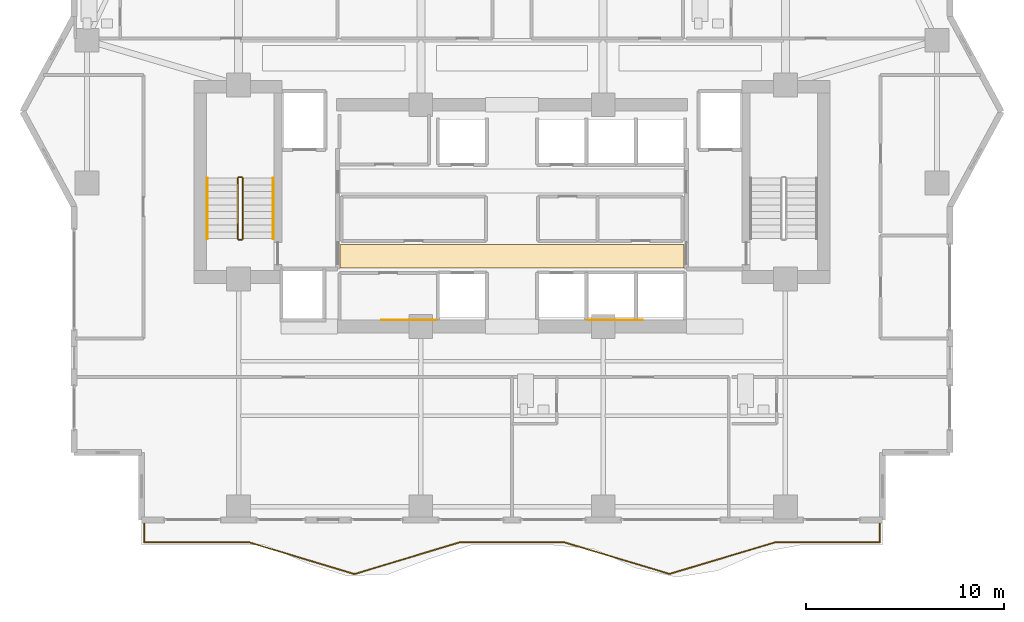
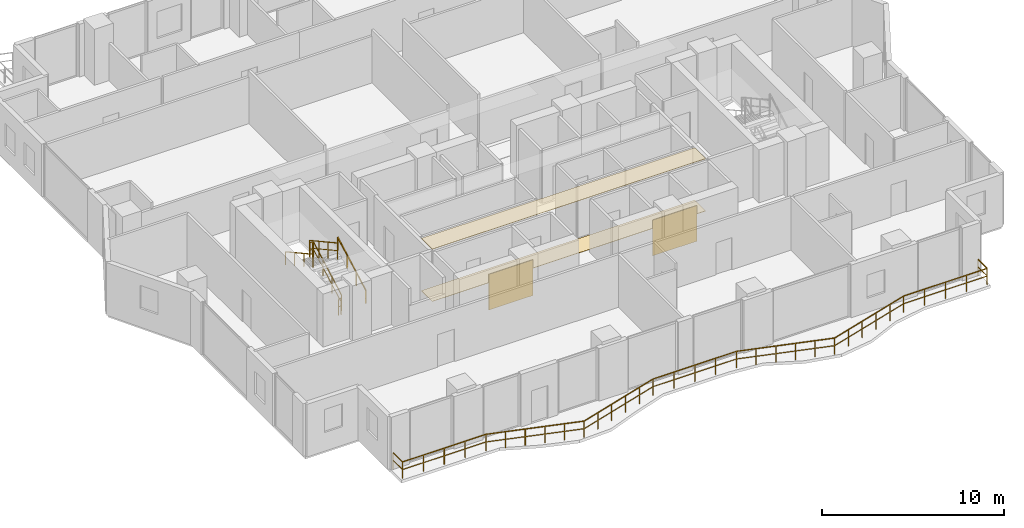
# One storey, part 30 of 33: 7 railings, 4 coverings.
"""IFC4 building model written with IfcOpenShell, lengths in metres."""

from ifc_helpers import new_model, si_unit, direction, frame, origin, origin_2d, place, context, subcontext, project, spatial, polyline, rectangle, outline, extrude, material, layer, layer_set, type_object, element, save


model = new_model("IFC4")

# Units and contexts
model_context = context("Model", 3, precision=1e-05, world=origin(), true_north=direction((0.0, 1.0)))
body_context = subcontext(model_context, "Body", "Model", "MODEL_VIEW")
ifc_project = project(units=[si_unit("LENGTHUNIT", "METRE"), si_unit("AREAUNIT", "SQUARE_METRE"), si_unit("VOLUMEUNIT", "CUBIC_METRE"), si_unit("PLANEANGLEUNIT", "RADIAN"), si_unit("MASSUNIT", "GRAM", prefix="KILO")], contexts=[model_context])

# Site, building, storey
site_placement = place(None, origin())
site = spatial("IfcSite", under=ifc_project, at=site_placement, CompositionType="ELEMENT")
building_placement = place(site_placement, origin())
building = spatial("IfcBuilding", under=site, at=building_placement, Name="Zuhayl Quay Hotel", CompositionType="ELEMENT")
storey_placement = place(building_placement, frame((0.0, 0.0, 214.89990234375)))
storey = spatial("IfcBuildingStorey", under=building, at=storey_placement, Name="L54", CompositionType="ELEMENT", Elevation=214.89990234375)

# Coverings
ifc_material_1 = material(Name="Acoustic Mineral-Fibre Gypsum Board")
ifc_layer_1 = layer(ifc_material_1, 0.02490234375, Name="Acoustic Mineral-Fibre Gypsum Board")
ifc_layer_set_1 = layer_set([ifc_layer_1], Name="Acoustic Mineral-Fibre Gypsum Board")
covering_type_1 = type_object("IfcCoveringType", Name="CV_CEIL_ACOUSTIC", PredefinedType="CEILING", material=ifc_layer_set_1)
covering_1_placement = place(storey_placement, frame((0.0, 0.0, 3.505126953125)))
element("IfcCovering", 1, at=covering_1_placement, inside=storey, type_object=covering_type_1, Name="L54 Suspended Acoustic Lobby Ceiling S", PredefinedType="CEILING", context=body_context, shape_type="SweptSolid", body=[
    extrude(outline(polyline([(-8.679931640625, 5.10009765625), (8.679931640625, 5.10009765625), (8.679931640625, 6.300048828125), (-8.679931640625, 6.300048828125), (-8.679931640625, 5.10009765625)])), origin(), (0.0, 0.0, 1.0), 0.02490234375),
])
ifc_material_2 = material(Name="Polished Limestone Terrazzo", Category="masonry")
ifc_layer_2 = layer(ifc_material_2, 0.02001953125, Name="Polished Limestone Terrazzo", Category="masonry")
ifc_layer_set_2 = layer_set([ifc_layer_2], Name="Polished Limestone Terrazzo")
covering_type_2 = type_object("IfcCoveringType", Name="CV_FLOOR_TERRAZZO", PredefinedType="FLOORING", material=ifc_layer_set_2)
covering_2_placement = place(storey_placement, origin())
element("IfcCovering", 2, at=covering_2_placement, inside=storey, type_object=covering_type_2, Name="L54 Honed Limestone Terrazzo Lobby Flooring S", PredefinedType="FLOORING", context=body_context, shape_type="SweptSolid", body=[
    extrude(outline(polyline([(-8.679931640625, 5.10009765625), (8.679931640625, 5.10009765625), (8.679931640625, 6.300048828125), (-8.679931640625, 6.300048828125), (-8.679931640625, 5.10009765625)])), origin(), (0.0, 0.0, 1.0), 0.02001953125),
])
ifc_material_3 = material(Name="Acoustic Walnut Feature Timber", Category="wood")
ifc_layer_3 = layer(ifc_material_3, 0.02197265625, Name="Acoustic Walnut Feature Timber", Category="wood")
ifc_layer_set_3 = layer_set([ifc_layer_3], Name="Acoustic Walnut Feature Timber")
covering_type_3 = type_object("IfcCoveringType", Name="CV_WALL_CLAD", PredefinedType="CLADDING", material=ifc_layer_set_3)
for number, where, z_axis, x_axis, name in (
    (3, (-5.199951171875, 2.486083984375, 0.300048828125), (0.0, 0.0, 1.0), (1.0, 0.0, 0.0), "L54 Feature Lobby Walnut Wall Cladding W"),
    (4, (5.199951171875, 2.486083984375, 0.300048828125), (0.0, 0.0, 1.0), (1.0, 0.0, 0.0), "L54 Feature Lobby Walnut Wall Cladding E"),
):
    element("IfcCovering", number, at=place(storey_placement, frame(where, z_axis=z_axis, x_axis=x_axis)), inside=storey, type_object=covering_type_3, Name=name, PredefinedType="CLADDING", context=body_context, shape_type="SweptSolid", body=[
        extrude(rectangle(XDim=2.800048828125, YDim=0.02197265625, at=origin_2d()), origin(), (0.0, 0.0, 1.0), 2.39990234375),
    ])

# Railings
ifc_material_4 = material(Name="Anodised Aluminium and Laminated Glass", Category="aluminium")
railing_type_1 = type_object("IfcRailingType", Name="RL_EXT_BAL_1100", PredefinedType="BALUSTRADE", material=ifc_material_4)
railing_1_placement = place(storey_placement, frame((-18.56005859375, -7.719970703125, 0.0)))
element("IfcRailing", 5, at=railing_1_placement, inside=storey, type_object=railing_type_1, Name="L54 Balcony and Terrace Guard GR_L54_BAL_S", PredefinedType="BALUSTRADE", context=body_context, shape_type="SweptSolid", body=[
    extrude(rectangle(XDim=0.048095703125, YDim=0.048095703125, at=origin_2d()), frame((0.0, 0.0, 1.09619140625), z_axis=(0.0, -1.0, 0.0), x_axis=(1.0, 0.0, 0.0)), (0.0, 0.0, 1.0), 1.02001953125),
    extrude(rectangle(XDim=0.0361328125, YDim=0.0361328125, at=origin_2d()), frame((0.0, 0.0, 0.58251953125), z_axis=(0.0, -1.0, 0.0), x_axis=(1.0, 0.0, 0.0)), (0.0, 0.0, 1.0), 1.02001953125),
    extrude(rectangle(XDim=0.048095703125, YDim=0.048095703125, at=origin_2d()), frame((0.0, -1.02001953125, 1.09619140625), z_axis=(1.0, 0.0, 0.0), x_axis=(0.0, 1.0, 0.0)), (0.0, 0.0, 1.0), 5.302978515625),
    extrude(rectangle(XDim=0.0361328125, YDim=0.0361328125, at=origin_2d()), frame((0.0, -1.02001953125, 0.58251953125), z_axis=(1.0, 0.0, 0.0), x_axis=(0.0, 1.0, 0.0)), (0.0, 0.0, 1.0), 5.302978515625),
    extrude(rectangle(XDim=0.048095703125, YDim=0.048095703125, at=origin_2d()), frame((5.302978515625, -1.02001953125, 1.09619140625), z_axis=(0.957364058191, -0.288884163784, 0.0), x_axis=(0.288884163784, 0.957364058191, 0.0)), (0.0, 0.0, 1.0), 5.538818359375),
    extrude(rectangle(XDim=0.0361328125, YDim=0.0361328125, at=origin_2d()), frame((5.302978515625, -1.02001953125, 0.58251953125), z_axis=(0.957364058191, -0.288884163784, 0.0), x_axis=(0.288884163784, 0.957364058191, 0.0)), (0.0, 0.0, 1.0), 5.538818359375),
    extrude(rectangle(XDim=0.048095703125, YDim=0.048095703125, at=origin_2d()), frame((10.605712890625, -2.6201171875, 1.09619140625), z_axis=(0.957367736407, 0.288871973869, 0.0), x_axis=(-0.288871973869, 0.957367736407, 0.0)), (0.0, 0.0, 1.0), 5.5390625),
    extrude(rectangle(XDim=0.0361328125, YDim=0.0361328125, at=origin_2d()), frame((10.605712890625, -2.6201171875, 0.58251953125), z_axis=(0.957367736407, 0.288871973869, 0.0), x_axis=(-0.288871973869, 0.957367736407, 0.0)), (0.0, 0.0, 1.0), 5.5390625),
    extrude(rectangle(XDim=0.048095703125, YDim=0.048095703125, at=origin_2d()), frame((15.90869140625, -1.02001953125, 1.09619140625), z_axis=(1.0, 0.0, 0.0), x_axis=(0.0, 1.0, 0.0)), (0.0, 0.0, 1.0), 5.302734375),
    extrude(rectangle(XDim=0.0361328125, YDim=0.0361328125, at=origin_2d()), frame((15.90869140625, -1.02001953125, 0.58251953125), z_axis=(1.0, 0.0, 0.0), x_axis=(0.0, 1.0, 0.0)), (0.0, 0.0, 1.0), 5.302734375),
    extrude(rectangle(XDim=0.048095703125, YDim=0.048095703125, at=origin_2d()), frame((21.21142578125, -1.02001953125, 1.09619140625), z_axis=(0.957805650756, -0.287416658148, 0.0), x_axis=(0.287416658148, 0.957805650756, 0.0)), (0.0, 0.0, 1.0), 5.53662109375),
    extrude(rectangle(XDim=0.0361328125, YDim=0.0361328125, at=origin_2d()), frame((21.21142578125, -1.02001953125, 0.58251953125), z_axis=(0.957805650756, -0.287416658148, 0.0), x_axis=(0.287416658148, 0.957805650756, 0.0)), (0.0, 0.0, 1.0), 5.53662109375),
    extrude(rectangle(XDim=0.048095703125, YDim=0.048095703125, at=origin_2d()), frame((26.514404296875, -2.611328125, 1.09619140625), z_axis=(0.957996069855, 0.286781328094, 0.0), x_axis=(-0.286781328094, 0.957996069855, 0.0)), (0.0, 0.0, 1.0), 5.53515625),
    extrude(rectangle(XDim=0.0361328125, YDim=0.0361328125, at=origin_2d()), frame((26.514404296875, -2.611328125, 0.58251953125), z_axis=(0.957996069855, 0.286781328094, 0.0), x_axis=(-0.286781328094, 0.957996069855, 0.0)), (0.0, 0.0, 1.0), 5.53515625),
    extrude(rectangle(XDim=0.048095703125, YDim=0.048095703125, at=origin_2d()), frame((31.817138671875, -1.02392578125, 1.09619140625), z_axis=(0.9999997287, 0.000736614137, 0.0), x_axis=(-0.000736614137, 0.9999997287, 0.0)), (0.0, 0.0, 1.0), 5.302978515625),
    extrude(rectangle(XDim=0.0361328125, YDim=0.0361328125, at=origin_2d()), frame((31.817138671875, -1.02392578125, 0.58251953125), z_axis=(0.9999997287, 0.000736614137, 0.0), x_axis=(-0.000736614137, 0.9999997287, 0.0)), (0.0, 0.0, 1.0), 5.302978515625),
    extrude(rectangle(XDim=0.048095703125, YDim=0.048095703125, at=origin_2d()), frame((37.1201171875, -1.02001953125, 1.09619140625), z_axis=(0.0, 1.0, 0.0), x_axis=(-1.0, 0.0, 0.0)), (0.0, 0.0, 1.0), 1.02001953125),
    extrude(rectangle(XDim=0.0361328125, YDim=0.0361328125, at=origin_2d()), frame((37.1201171875, -1.02001953125, 0.58251953125), z_axis=(0.0, 1.0, 0.0), x_axis=(-1.0, 0.0, 0.0)), (0.0, 0.0, 1.0), 1.02001953125),
    extrude(rectangle(XDim=0.0419921875, YDim=0.0419921875, at=origin_2d()), origin(), (0.0, 0.0, 1.0), 1.072021484375),
    extrude(rectangle(XDim=0.0419921875, YDim=0.0419921875, at=origin_2d()), frame((0.0, -1.02001953125, 0.0)), (0.0, 0.0, 1.0), 1.072021484375),
    extrude(rectangle(XDim=0.0419921875, YDim=0.0419921875, at=origin_2d()), frame((1.32568359375, -1.02001953125, 0.0)), (0.0, 0.0, 1.0), 1.072021484375),
    extrude(rectangle(XDim=0.0419921875, YDim=0.0419921875, at=origin_2d()), frame((2.6513671875, -1.02001953125, 0.0)), (0.0, 0.0, 1.0), 1.072021484375),
    extrude(rectangle(XDim=0.0419921875, YDim=0.0419921875, at=origin_2d()), frame((3.977294921875, -1.02001953125, 0.0)), (0.0, 0.0, 1.0), 1.072021484375),
    extrude(rectangle(XDim=0.0419921875, YDim=0.0419921875, at=origin_2d()), frame((5.302978515625, -1.02001953125, 0.0)), (0.0, 0.0, 1.0), 1.072021484375),
    extrude(rectangle(XDim=0.0419921875, YDim=0.0419921875, at=origin_2d()), frame((6.363525390625, -1.340087890625, 0.0)), (0.0, 0.0, 1.0), 1.072021484375),
    extrude(rectangle(XDim=0.0419921875, YDim=0.0419921875, at=origin_2d()), frame((7.424072265625, -1.66015625, 0.0)), (0.0, 0.0, 1.0), 1.072021484375),
    extrude(rectangle(XDim=0.0419921875, YDim=0.0419921875, at=origin_2d()), frame((8.484619140625, -1.97998046875, 0.0)), (0.0, 0.0, 1.0), 1.072021484375),
    extrude(rectangle(XDim=0.0419921875, YDim=0.0419921875, at=origin_2d()), frame((9.545166015625, -2.300048828125, 0.0)), (0.0, 0.0, 1.0), 1.072021484375),
    extrude(rectangle(XDim=0.0419921875, YDim=0.0419921875, at=origin_2d()), frame((10.605712890625, -2.6201171875, 0.0)), (0.0, 0.0, 1.0), 1.072021484375),
    extrude(rectangle(XDim=0.0419921875, YDim=0.0419921875, at=origin_2d()), frame((11.666259765625, -2.300048828125, 0.0)), (0.0, 0.0, 1.0), 1.072021484375),
    extrude(rectangle(XDim=0.0419921875, YDim=0.0419921875, at=origin_2d()), frame((12.726806640625, -1.97998046875, 0.0)), (0.0, 0.0, 1.0), 1.072021484375),
    extrude(rectangle(XDim=0.0419921875, YDim=0.0419921875, at=origin_2d()), frame((13.78759765625, -1.66015625, 0.0)), (0.0, 0.0, 1.0), 1.072021484375),
    extrude(rectangle(XDim=0.0419921875, YDim=0.0419921875, at=origin_2d()), frame((14.84814453125, -1.340087890625, 0.0)), (0.0, 0.0, 1.0), 1.072021484375),
    extrude(rectangle(XDim=0.0419921875, YDim=0.0419921875, at=origin_2d()), frame((15.90869140625, -1.02001953125, 0.0)), (0.0, 0.0, 1.0), 1.072021484375),
    extrude(rectangle(XDim=0.0419921875, YDim=0.0419921875, at=origin_2d()), frame((17.234375, -1.02001953125, 0.0)), (0.0, 0.0, 1.0), 1.072021484375),
    extrude(rectangle(XDim=0.0419921875, YDim=0.0419921875, at=origin_2d()), frame((18.56005859375, -1.02001953125, 0.0)), (0.0, 0.0, 1.0), 1.072021484375),
    extrude(rectangle(XDim=0.0419921875, YDim=0.0419921875, at=origin_2d()), frame((19.8857421875, -1.02001953125, 0.0)), (0.0, 0.0, 1.0), 1.072021484375),
    extrude(rectangle(XDim=0.0419921875, YDim=0.0419921875, at=origin_2d()), frame((21.21142578125, -1.02001953125, 0.0)), (0.0, 0.0, 1.0), 1.072021484375),
    extrude(rectangle(XDim=0.0419921875, YDim=0.0419921875, at=origin_2d()), frame((22.27197265625, -1.33837890625, 0.0)), (0.0, 0.0, 1.0), 1.072021484375),
    extrude(rectangle(XDim=0.0419921875, YDim=0.0419921875, at=origin_2d()), frame((23.33251953125, -1.656494140625, 0.0)), (0.0, 0.0, 1.0), 1.072021484375),
    extrude(rectangle(XDim=0.0419921875, YDim=0.0419921875, at=origin_2d()), frame((24.393310546875, -1.974853515625, 0.0)), (0.0, 0.0, 1.0), 1.072021484375),
    extrude(rectangle(XDim=0.0419921875, YDim=0.0419921875, at=origin_2d()), frame((25.453857421875, -2.29296875, 0.0)), (0.0, 0.0, 1.0), 1.072021484375),
    extrude(rectangle(XDim=0.0419921875, YDim=0.0419921875, at=origin_2d()), frame((26.514404296875, -2.611328125, 0.0)), (0.0, 0.0, 1.0), 1.072021484375),
    extrude(rectangle(XDim=0.0419921875, YDim=0.0419921875, at=origin_2d()), frame((27.574951171875, -2.2939453125, 0.0)), (0.0, 0.0, 1.0), 1.072021484375),
    extrude(rectangle(XDim=0.0419921875, YDim=0.0419921875, at=origin_2d()), frame((28.635498046875, -1.976318359375, 0.0)), (0.0, 0.0, 1.0), 1.072021484375),
    extrude(rectangle(XDim=0.0419921875, YDim=0.0419921875, at=origin_2d()), frame((29.696044921875, -1.658935546875, 0.0)), (0.0, 0.0, 1.0), 1.072021484375),
    extrude(rectangle(XDim=0.0419921875, YDim=0.0419921875, at=origin_2d()), frame((30.756591796875, -1.34130859375, 0.0)), (0.0, 0.0, 1.0), 1.072021484375),
    extrude(rectangle(XDim=0.0419921875, YDim=0.0419921875, at=origin_2d()), frame((31.817138671875, -1.02392578125, 0.0)), (0.0, 0.0, 1.0), 1.072021484375),
    extrude(rectangle(XDim=0.0419921875, YDim=0.0419921875, at=origin_2d()), frame((33.142822265625, -1.02294921875, 0.0)), (0.0, 0.0, 1.0), 1.072021484375),
    extrude(rectangle(XDim=0.0419921875, YDim=0.0419921875, at=origin_2d()), frame((34.46875, -1.02197265625, 0.0)), (0.0, 0.0, 1.0), 1.072021484375),
    extrude(rectangle(XDim=0.0419921875, YDim=0.0419921875, at=origin_2d()), frame((35.79443359375, -1.02099609375, 0.0)), (0.0, 0.0, 1.0), 1.072021484375),
    extrude(rectangle(XDim=0.0419921875, YDim=0.0419921875, at=origin_2d()), frame((37.1201171875, -1.02001953125, 0.0)), (0.0, 0.0, 1.0), 1.072021484375),
    extrude(rectangle(XDim=0.0419921875, YDim=0.0419921875, at=origin_2d()), frame((37.1201171875, 0.0, 0.0)), (0.0, 0.0, 1.0), 1.072021484375),
])
ifc_material_5 = material(Name="Steel ASTM A992 Grade 50", Category="steel")
railing_type_2 = type_object("IfcRailingType", Name="RL_GUARD_1100", PredefinedType="GUARDRAIL", material=ifc_material_5)
railing_2_placement = place(storey_placement, frame((-13.590087890625, 6.590087890625, 0.1875)))
element("IfcRailing", 6, at=railing_2_placement, inside=storey, type_object=railing_type_2, Name="L54 ST1 stair guard 1", PredefinedType="GUARDRAIL", context=body_context, shape_type="SweptSolid", body=[
    extrude(rectangle(XDim=0.048095703125, YDim=0.048095703125, at=origin_2d()), frame((0.0, 0.0, 1.09619140625), z_axis=(0.0, 0.875659195171, 0.482929574485), x_axis=(-1.0, 0.0, 0.0)), (0.0, 0.0, 1.0), 3.494384765625),
    extrude(rectangle(XDim=0.0361328125, YDim=0.0361328125, at=origin_2d()), frame((0.0, 0.0, 0.58251953125), z_axis=(0.0, 0.875659195171, 0.482929574485), x_axis=(-1.0, 0.0, 0.0)), (0.0, 0.0, 1.0), 3.494384765625),
    extrude(rectangle(XDim=0.0419921875, YDim=0.0419921875, at=origin_2d()), origin(), (0.0, 0.0, 1.0), 1.072021484375),
    extrude(rectangle(XDim=0.0419921875, YDim=0.0419921875, at=origin_2d()), frame((0.0, 1.02001953125, 0.5625)), (0.0, 0.0, 1.0), 1.072021484375),
    extrude(rectangle(XDim=0.0419921875, YDim=0.0419921875, at=origin_2d()), frame((0.0, 2.039794921875, 1.125)), (0.0, 0.0, 1.0), 1.072021484375),
    extrude(rectangle(XDim=0.0419921875, YDim=0.0419921875, at=origin_2d()), frame((0.0, 3.059814453125, 1.6875)), (0.0, 0.0, 1.0), 1.072021484375),
])
railing_3_placement = place(storey_placement, frame((-13.639892578125, 9.699951171875, 1.875)))
element("IfcRailing", 7, at=railing_3_placement, inside=storey, type_object=railing_type_2, Name="L54 ST1 stair guard 2", PredefinedType="GUARDRAIL", context=body_context, shape_type="SweptSolid", body=[
    extrude(rectangle(XDim=0.048095703125, YDim=0.048095703125, at=origin_2d()), frame((0.0, 0.0, 1.09619140625), z_axis=(-1.0, 0.0, 0.0), x_axis=(0.0, -1.0, 0.0)), (0.0, 0.0, 1.0), 0.150146484375),
    extrude(rectangle(XDim=0.0361328125, YDim=0.0361328125, at=origin_2d()), frame((0.0, 0.0, 0.58251953125), z_axis=(-1.0, 0.0, 0.0), x_axis=(0.0, -1.0, 0.0)), (0.0, 0.0, 1.0), 0.150146484375),
    extrude(rectangle(XDim=0.0419921875, YDim=0.0419921875, at=origin_2d()), origin(), (0.0, 0.0, 1.0), 1.072021484375),
    extrude(rectangle(XDim=0.0419921875, YDim=0.0419921875, at=origin_2d()), frame((-0.150146484375, 0.0, 0.0)), (0.0, 0.0, 1.0), 1.072021484375),
])
railing_4_placement = place(storey_placement, frame((-13.840087890625, 9.64990234375, 2.0625)))
element("IfcRailing", 8, at=railing_4_placement, inside=storey, type_object=railing_type_2, Name="L54 ST1 stair guard 3", PredefinedType="GUARDRAIL", context=body_context, shape_type="SweptSolid", body=[
    extrude(rectangle(XDim=0.048095703125, YDim=0.048095703125, at=origin_2d()), frame((0.0, 0.0, 1.09619140625), z_axis=(0.0, -0.875659195171, 0.482929574485), x_axis=(1.0, 0.0, 0.0)), (0.0, 0.0, 1.0), 3.494384765625),
    extrude(rectangle(XDim=0.0361328125, YDim=0.0361328125, at=origin_2d()), frame((0.0, 0.0, 0.58251953125), z_axis=(0.0, -0.875659195171, 0.482929574485), x_axis=(1.0, 0.0, 0.0)), (0.0, 0.0, 1.0), 3.494384765625),
    extrude(rectangle(XDim=0.0419921875, YDim=0.0419921875, at=origin_2d()), origin(), (0.0, 0.0, 1.0), 1.072021484375),
    extrude(rectangle(XDim=0.0419921875, YDim=0.0419921875, at=origin_2d()), frame((0.0, -1.02001953125, 0.5625)), (0.0, 0.0, 1.0), 1.072021484375),
    extrude(rectangle(XDim=0.0419921875, YDim=0.0419921875, at=origin_2d()), frame((0.0, -2.039794921875, 1.125)), (0.0, 0.0, 1.0), 1.072021484375),
    extrude(rectangle(XDim=0.0419921875, YDim=0.0419921875, at=origin_2d()), frame((0.0, -3.059814453125, 1.6875)), (0.0, 0.0, 1.0), 1.072021484375),
])
railing_5_placement = place(storey_placement, frame((-13.639892578125, 6.5400390625, 0.0)))
element("IfcRailing", 9, at=railing_5_placement, inside=storey, type_object=railing_type_2, Name="L54 ST1 stair guard 4", PredefinedType="GUARDRAIL", context=body_context, shape_type="SweptSolid", body=[
    extrude(rectangle(XDim=0.048095703125, YDim=0.048095703125, at=origin_2d()), frame((0.0, 0.0, 1.09619140625), z_axis=(-1.0, 0.0, 0.0), x_axis=(0.0, -1.0, 0.0)), (0.0, 0.0, 1.0), 0.150146484375),
    extrude(rectangle(XDim=0.0361328125, YDim=0.0361328125, at=origin_2d()), frame((0.0, 0.0, 0.58251953125), z_axis=(-1.0, 0.0, 0.0), x_axis=(0.0, -1.0, 0.0)), (0.0, 0.0, 1.0), 0.150146484375),
    extrude(rectangle(XDim=0.0419921875, YDim=0.0419921875, at=origin_2d()), origin(), (0.0, 0.0, 1.0), 1.072021484375),
    extrude(rectangle(XDim=0.0419921875, YDim=0.0419921875, at=origin_2d()), frame((-0.150146484375, 0.0, 0.0)), (0.0, 0.0, 1.0), 1.072021484375),
])
railing_type_3 = type_object("IfcRailingType", Name="RL_HANDRAIL_920", PredefinedType="HANDRAIL", material=ifc_material_5)
railing_6_placement = place(storey_placement, frame((-12.050048828125, 6.590087890625, 0.1875)))
element("IfcRailing", 10, at=railing_6_placement, inside=storey, type_object=railing_type_3, Name="L54 ST1 stair handrail 1", PredefinedType="HANDRAIL", context=body_context, shape_type="SweptSolid", body=[
    extrude(rectangle(XDim=0.048095703125, YDim=0.048095703125, at=origin_2d()), frame((0.0, 0.0, 0.8759765625), z_axis=(0.0, 0.875659195171, 0.482929574485), x_axis=(-1.0, 0.0, 0.0)), (0.0, 0.0, 1.0), 3.494384765625),
    extrude(rectangle(XDim=0.0419921875, YDim=0.0419921875, at=origin_2d()), origin(), (0.0, 0.0, 1.0), 0.851806640625),
    extrude(rectangle(XDim=0.0419921875, YDim=0.0419921875, at=origin_2d()), frame((0.0, 1.02001953125, 0.5625)), (0.0, 0.0, 1.0), 0.851806640625),
    extrude(rectangle(XDim=0.0419921875, YDim=0.0419921875, at=origin_2d()), frame((0.0, 2.039794921875, 1.125)), (0.0, 0.0, 1.0), 0.851806640625),
    extrude(rectangle(XDim=0.0419921875, YDim=0.0419921875, at=origin_2d()), frame((0.0, 3.059814453125, 1.6875)), (0.0, 0.0, 1.0), 0.851806640625),
])
railing_7_placement = place(storey_placement, frame((-15.3798828125, 9.64990234375, 2.0625)))
element("IfcRailing", 11, at=railing_7_placement, inside=storey, type_object=railing_type_3, Name="L54 ST1 stair handrail 2", PredefinedType="HANDRAIL", context=body_context, shape_type="SweptSolid", body=[
    extrude(rectangle(XDim=0.048095703125, YDim=0.048095703125, at=origin_2d()), frame((0.0, 0.0, 0.8759765625), z_axis=(0.0, -0.875659195171, 0.482929574485), x_axis=(1.0, 0.0, 0.0)), (0.0, 0.0, 1.0), 3.494384765625),
    extrude(rectangle(XDim=0.0419921875, YDim=0.0419921875, at=origin_2d()), origin(), (0.0, 0.0, 1.0), 0.851806640625),
    extrude(rectangle(XDim=0.0419921875, YDim=0.0419921875, at=origin_2d()), frame((0.0, -1.02001953125, 0.5625)), (0.0, 0.0, 1.0), 0.851806640625),
    extrude(rectangle(XDim=0.0419921875, YDim=0.0419921875, at=origin_2d()), frame((0.0, -2.039794921875, 1.125)), (0.0, 0.0, 1.0), 0.851806640625),
    extrude(rectangle(XDim=0.0419921875, YDim=0.0419921875, at=origin_2d()), frame((0.0, -3.059814453125, 1.6875)), (0.0, 0.0, 1.0), 0.851806640625),
])

save(model, "model.ifc")
